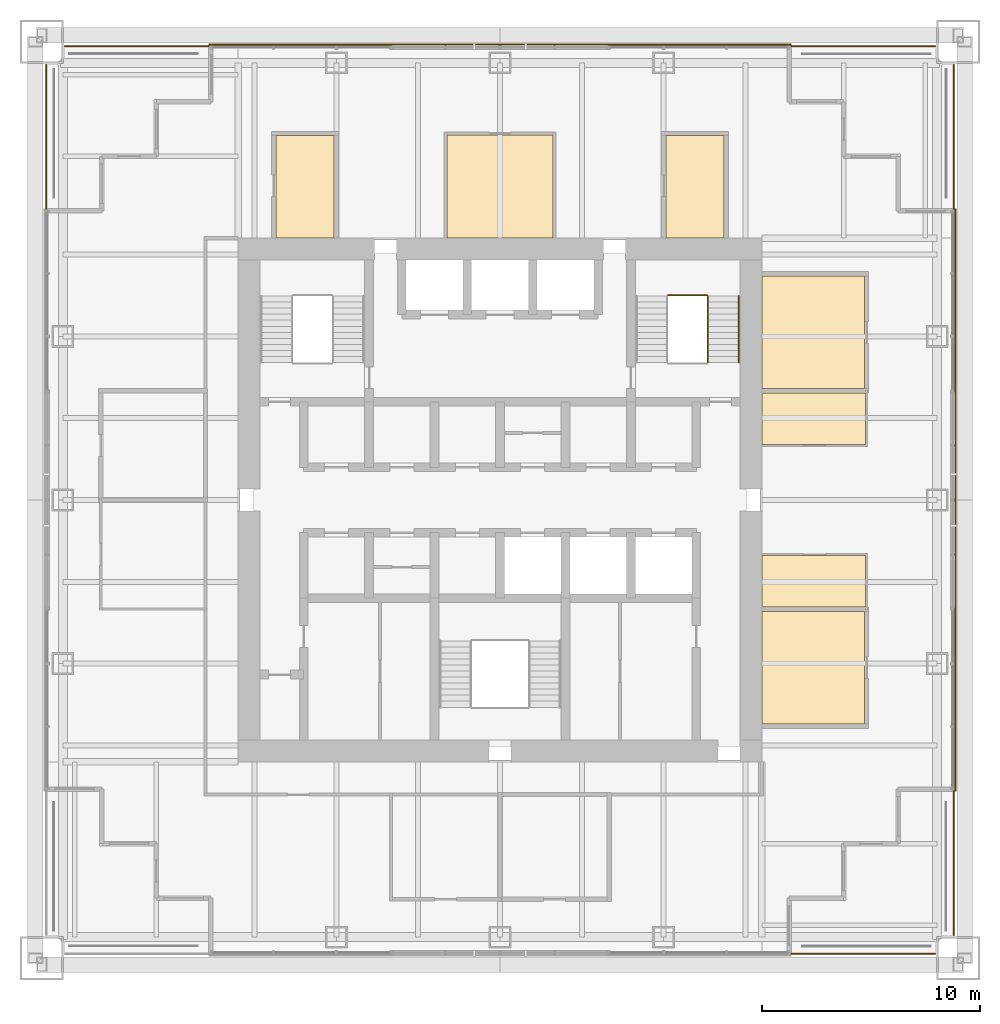
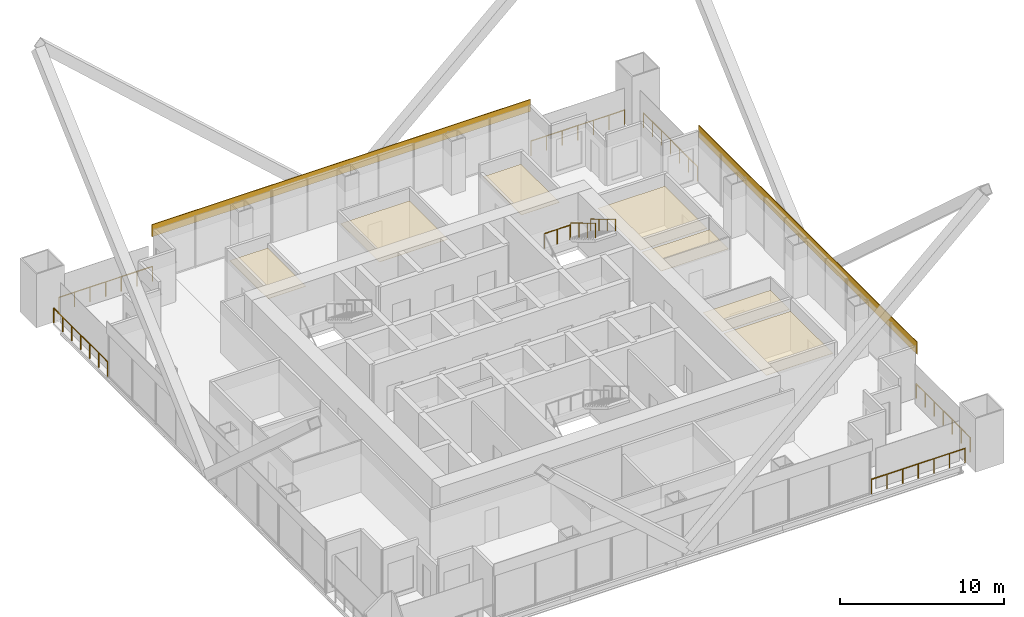
# One storey, part 17 of 17: 9 coverings, 9 railings.
"""IFC4 building model written with IfcOpenShell, lengths in metres."""

from ifc_helpers import new_model, si_unit, direction, frame, origin, origin_2d, place, context, subcontext, project, spatial, polyline, rectangle, circle, outline, extrude, material, layer, layer_set, type_object, element, save


model = new_model("IFC4")

# Units and contexts
model_context = context("Model", 3, precision=1e-05, world=origin(), true_north=direction((0.0, 1.0)))
body_context = subcontext(model_context, "Body", "Model", "MODEL_VIEW")
ifc_project = project(units=[si_unit("LENGTHUNIT", "METRE"), si_unit("AREAUNIT", "SQUARE_METRE"), si_unit("VOLUMEUNIT", "CUBIC_METRE"), si_unit("PLANEANGLEUNIT", "RADIAN"), si_unit("MASSUNIT", "GRAM", prefix="KILO")], contexts=[model_context])

# Site, building, storey
site_placement = place(None, origin())
site = spatial("IfcSite", under=ifc_project, at=site_placement, CompositionType="ELEMENT")
building_placement = place(site_placement, origin())
building = spatial("IfcBuilding", under=site, at=building_placement, Name="Tarangal Relay Tower", CompositionType="ELEMENT")
storey_placement = place(building_placement, frame((0.0, 0.0, 315.89990234375)))
storey = spatial("IfcBuildingStorey", under=building, at=storey_placement, Name="L70", CompositionType="ELEMENT", Elevation=315.89990234375)

# Coverings
ifc_material_1 = material(Name="Black anodised aluminium cladding", Category="aluminium")
ifc_layer_1 = layer(ifc_material_1, 0.050048828125)
ifc_layer_set_1 = layer_set([ifc_layer_1], Name="Black metal spandrel band")
covering_type_1 = type_object("IfcCoveringType", Name="Black metal spandrel band", PredefinedType="CLADDING", material=ifc_layer_set_1)
for number, where, z_axis, x_axis, name in (
    (1, (0.0, 20.875, 3.250244140625), (0.0, 0.0, 1.0), (1.0, 0.0, 0.0), "Spandrel band SB1 N L70"),
    (2, (20.875, 0.0, 3.250244140625), (0.0, 0.0, 1.0), (0.0, -1.0, 0.0), "Spandrel band SB1 E L70"),
):
    element("IfcCovering", number, at=place(storey_placement, frame(where, z_axis=z_axis, x_axis=x_axis)), inside=storey, type_object=covering_type_1, Name=name, PredefinedType="CLADDING", context=body_context, shape_type="SweptSolid", body=[
        extrude(rectangle(XDim=26.699951171875, YDim=0.050048828125, at=origin_2d()), origin(), (0.0, 0.0, 1.0), 0.89990234375),
    ])

# Railings
ifc_material_2 = material(Name="Steel guard, black finish", Category="steel")
railing_type_1 = type_object("IfcRailingType", Name="Stair guard 1100", PredefinedType="GUARDRAIL", material=ifc_material_2)
railing_1_placement = place(storey_placement, frame((9.530029296875, 9.346923828125, 2.166748046875)))
element("IfcRailing", 3, at=railing_1_placement, inside=storey, type_object=railing_type_1, Name="Stair ST-B guard GR1 L70 flight 2", PredefinedType="GUARDRAIL", context=body_context, shape_type="SweptSolid", body=[
    extrude(circle(Radius=0.02392578125, at=origin_2d()), frame((0.0, 0.0, 1.076171875), z_axis=(0.0, -0.85685617095, 0.515555527858), x_axis=(1.0, 0.0, 0.0)), (0.0, 0.0, 1.0), 3.555908203125),
    extrude(circle(Radius=0.02099609375, at=origin_2d()), origin(), (0.0, 0.0, 1.0), 1.052001953125),
    extrude(circle(Radius=0.02099609375, at=origin_2d()), frame((0.0, -1.015625, 0.611083984375)), (0.0, 0.0, 1.0), 1.052001953125),
    extrude(circle(Radius=0.02099609375, at=origin_2d()), frame((0.0, -2.03125, 1.22216796875)), (0.0, 0.0, 1.0), 1.052001953125),
    extrude(circle(Radius=0.02099609375, at=origin_2d()), frame((0.0, -3.046875, 1.833251953125)), (0.0, 0.0, 1.0), 1.052001953125),
])
railing_2_placement = place(storey_placement, frame((7.699951171875, 9.376953125, 2.0)))
element("IfcRailing", 4, at=railing_2_placement, inside=storey, type_object=railing_type_1, Name="Stair ST-B landing guard GR1 L70", PredefinedType="GUARDRAIL", context=body_context, shape_type="SweptSolid", body=[
    extrude(circle(Radius=0.02392578125, at=origin_2d()), frame((0.0, 0.0, 1.076171875), z_axis=(1.0, 0.0, 0.0), x_axis=(0.0, 1.0, 0.0)), (0.0, 0.0, 1.0), 1.800048828125),
    extrude(circle(Radius=0.02099609375, at=origin_2d()), origin(), (0.0, 0.0, 1.0), 1.052001953125),
    extrude(circle(Radius=0.02099609375, at=origin_2d()), frame((0.89990234375, 0.0, 0.0)), (0.0, 0.0, 1.0), 1.052001953125),
    extrude(circle(Radius=0.02099609375, at=origin_2d()), frame((1.800048828125, 0.0, 0.0)), (0.0, 0.0, 1.0), 1.052001953125),
])
ifc_material_3 = material(Name="Steel handrail, black finish", Category="steel")
railing_type_2 = type_object("IfcRailingType", Name="Stair handrail 900", PredefinedType="HANDRAIL", material=ifc_material_3)
railing_3_placement = place(storey_placement, frame((10.93994140625, 9.346923828125, 2.166748046875)))
element("IfcRailing", 5, at=railing_3_placement, inside=storey, type_object=railing_type_2, Name="Stair ST-B handrail HR1 L70 flight 2", PredefinedType="HANDRAIL", context=body_context, shape_type="SweptSolid", body=[
    extrude(circle(Radius=0.02392578125, at=origin_2d()), frame((0.0, 0.0, 0.8759765625), z_axis=(0.0, -0.85685617095, 0.515555527858), x_axis=(1.0, 0.0, 0.0)), (0.0, 0.0, 1.0), 3.555908203125),
    extrude(circle(Radius=0.02099609375, at=origin_2d()), origin(), (0.0, 0.0, 1.0), 0.851806640625),
    extrude(circle(Radius=0.02099609375, at=origin_2d()), frame((0.0, -1.015625, 0.611083984375)), (0.0, 0.0, 1.0), 0.851806640625),
    extrude(circle(Radius=0.02099609375, at=origin_2d()), frame((0.0, -2.03125, 1.22216796875)), (0.0, 0.0, 1.0), 0.851806640625),
    extrude(circle(Radius=0.02099609375, at=origin_2d()), frame((0.0, -3.046875, 1.833251953125)), (0.0, 0.0, 1.0), 0.851806640625),
])

# Coverings
ifc_material_4 = material(Name="Mineral fibre ceiling tiles", Category="gypsum")
ifc_layer_2 = layer(ifc_material_4, 0.02001953125)
ifc_layer_set_2 = layer_set([ifc_layer_2], Name="Suspended ceiling")
covering_type_2 = type_object("IfcCoveringType", Name="Suspended ceiling", PredefinedType="CEILING", material=ifc_layer_set_2)
covering_1_placement = place(storey_placement, frame((0.0, 0.0, 2.900146484375)))
element("IfcCovering", 6, at=covering_1_placement, inside=storey, type_object=covering_type_2, Name="Suspended ceiling CL1 L70-02", PredefinedType="CEILING", context=body_context, shape_type="SweptSolid", body=[
    extrude(outline(polyline([(-7.60009765625, 12.0), (-7.60009765625, 16.699951171875), (-10.27490234375, 16.699951171875), (-10.27490234375, 12.0), (-7.60009765625, 12.0)])), origin(), (0.0, 0.0, 1.0), 0.02001953125),
])
covering_2_placement = place(storey_placement, frame((0.0, 0.0, 2.900146484375)))
element("IfcCovering", 7, at=covering_2_placement, inside=storey, type_object=covering_type_2, Name="Suspended ceiling CL1 L70-03", PredefinedType="CEILING", context=body_context, shape_type="SweptSolid", body=[
    extrude(outline(polyline([(2.425048828125, 12.0), (2.425048828125, 16.72509765625), (-2.425048828125, 16.72509765625), (-2.425048828125, 12.0), (2.425048828125, 12.0)])), origin(), (0.0, 0.0, 1.0), 0.02001953125),
])
covering_3_placement = place(storey_placement, frame((0.0, 0.0, 2.900146484375)))
element("IfcCovering", 8, at=covering_3_placement, inside=storey, type_object=covering_type_2, Name="Suspended ceiling CL1 L70-04", PredefinedType="CEILING", context=body_context, shape_type="SweptSolid", body=[
    extrude(outline(polyline([(10.27490234375, 12.0), (10.27490234375, 16.699951171875), (7.60009765625, 16.699951171875), (7.60009765625, 12.0), (10.27490234375, 12.0)])), origin(), (0.0, 0.0, 1.0), 0.02001953125),
])
covering_4_placement = place(storey_placement, frame((0.0, 0.0, 2.900146484375)))
element("IfcCovering", 9, at=covering_4_placement, inside=storey, type_object=covering_type_2, Name="Suspended ceiling CL1 L70-05", PredefinedType="CEILING", context=body_context, shape_type="SweptSolid", body=[
    extrude(outline(polyline([(12.0, 5.10009765625), (16.699951171875, 5.10009765625), (16.699951171875, 10.27490234375), (12.0, 10.27490234375), (12.0, 5.10009765625)])), origin(), (0.0, 0.0, 1.0), 0.02001953125),
])
covering_5_placement = place(storey_placement, frame((0.0, 0.0, 2.900146484375)))
element("IfcCovering", 10, at=covering_5_placement, inside=storey, type_object=covering_type_2, Name="Suspended ceiling CL1 L70-06", PredefinedType="CEILING", context=body_context, shape_type="SweptSolid", body=[
    extrude(outline(polyline([(12.0, 2.550048828125), (16.75, 2.550048828125), (16.75, 4.89990234375), (12.0, 4.89990234375), (12.0, 2.550048828125)])), origin(), (0.0, 0.0, 1.0), 0.02001953125),
])
covering_6_placement = place(storey_placement, frame((0.0, 0.0, 2.900146484375)))
element("IfcCovering", 11, at=covering_6_placement, inside=storey, type_object=covering_type_2, Name="Suspended ceiling CL1 L70-07", PredefinedType="CEILING", context=body_context, shape_type="SweptSolid", body=[
    extrude(outline(polyline([(12.0, -4.89990234375), (16.75, -4.89990234375), (16.75, -2.550048828125), (12.0, -2.550048828125), (12.0, -4.89990234375)])), origin(), (0.0, 0.0, 1.0), 0.02001953125),
])
covering_7_placement = place(storey_placement, frame((0.0, 0.0, 2.900146484375)))
element("IfcCovering", 12, at=covering_7_placement, inside=storey, type_object=covering_type_2, Name="Suspended ceiling CL1 L70-08", PredefinedType="CEILING", context=body_context, shape_type="SweptSolid", body=[
    extrude(outline(polyline([(12.0, -10.27490234375), (16.699951171875, -10.27490234375), (16.699951171875, -5.10009765625), (12.0, -5.10009765625), (12.0, -10.27490234375)])), origin(), (0.0, 0.0, 1.0), 0.02001953125),
])

# Railings
ifc_material_5 = material(Name="Black steel guard with glass infill", Category="steel")
railing_type_3 = type_object("IfcRailingType", Name="Terrace guard 1100", PredefinedType="GUARDRAIL", material=ifc_material_5)
railing_4_placement = place(storey_placement, frame((13.35009765625, 20.800048828125, 0.0)))
element("IfcRailing", 13, at=railing_4_placement, inside=storey, type_object=railing_type_3, Name="Terrace guard GR2 NE L70", PredefinedType="GUARDRAIL", context=body_context, shape_type="SweptSolid", body=[
    extrude(circle(Radius=0.02392578125, at=origin_2d()), frame((0.0, 0.0, 1.076171875), z_axis=(1.0, 0.0, 0.0), x_axis=(0.0, 1.0, 0.0)), (0.0, 0.0, 1.0), 6.599853515625),
    extrude(circle(Radius=0.02099609375, at=origin_2d()), origin(), (0.0, 0.0, 1.0), 1.052001953125),
    extrude(circle(Radius=0.02099609375, at=origin_2d()), frame((1.10009765625, 0.0, 0.0)), (0.0, 0.0, 1.0), 1.052001953125),
    extrude(circle(Radius=0.02099609375, at=origin_2d()), frame((2.199951171875, 0.0, 0.0)), (0.0, 0.0, 1.0), 1.052001953125),
    extrude(circle(Radius=0.02099609375, at=origin_2d()), frame((3.2998046875, 0.0, 0.0)), (0.0, 0.0, 1.0), 1.052001953125),
    extrude(circle(Radius=0.02099609375, at=origin_2d()), frame((4.39990234375, 0.0, 0.0)), (0.0, 0.0, 1.0), 1.052001953125),
    extrude(circle(Radius=0.02099609375, at=origin_2d()), frame((5.5, 0.0, 0.0)), (0.0, 0.0, 1.0), 1.052001953125),
    extrude(circle(Radius=0.02099609375, at=origin_2d()), frame((6.599853515625, 0.0, 0.0)), (0.0, 0.0, 1.0), 1.052001953125),
])
for number, where, name in (
    (14, (20.800048828125, 19.949951171875, 0.0), "Terrace guard GR2 NE L70"),
    (15, (20.800048828125, -13.35009765625, 0.0), "Terrace guard GR2 SE L70"),
):
    element("IfcRailing", number, at=place(storey_placement, frame(where)), inside=storey, type_object=railing_type_3, Name=name, PredefinedType="GUARDRAIL", context=body_context, shape_type="SweptSolid", body=[
        extrude(circle(Radius=0.02392578125, at=origin_2d()), frame((0.0, 0.0, 1.076171875), z_axis=(0.0, -1.0, 0.0), x_axis=(1.0, 0.0, 0.0)), (0.0, 0.0, 1.0), 6.599853515625),
        extrude(circle(Radius=0.02099609375, at=origin_2d()), origin(), (0.0, 0.0, 1.0), 1.052001953125),
        extrude(circle(Radius=0.02099609375, at=origin_2d()), frame((0.0, -1.10009765625, 0.0)), (0.0, 0.0, 1.0), 1.052001953125),
        extrude(circle(Radius=0.02099609375, at=origin_2d()), frame((0.0, -2.199951171875, 0.0)), (0.0, 0.0, 1.0), 1.052001953125),
        extrude(circle(Radius=0.02099609375, at=origin_2d()), frame((0.0, -3.2998046875, 0.0)), (0.0, 0.0, 1.0), 1.052001953125),
        extrude(circle(Radius=0.02099609375, at=origin_2d()), frame((0.0, -4.39990234375, 0.0)), (0.0, 0.0, 1.0), 1.052001953125),
        extrude(circle(Radius=0.02099609375, at=origin_2d()), frame((0.0, -5.5, 0.0)), (0.0, 0.0, 1.0), 1.052001953125),
        extrude(circle(Radius=0.02099609375, at=origin_2d()), frame((0.0, -6.599853515625, 0.0)), (0.0, 0.0, 1.0), 1.052001953125),
    ])
railing_5_placement = place(storey_placement, frame((19.949951171875, -20.800048828125, 0.0)))
element("IfcRailing", 16, at=railing_5_placement, inside=storey, type_object=railing_type_3, Name="Terrace guard GR2 SE L70", PredefinedType="GUARDRAIL", context=body_context, shape_type="SweptSolid", body=[
    extrude(circle(Radius=0.02392578125, at=origin_2d()), frame((0.0, 0.0, 1.076171875), z_axis=(-1.0, 0.0, 0.0), x_axis=(0.0, -1.0, 0.0)), (0.0, 0.0, 1.0), 6.599853515625),
    extrude(circle(Radius=0.02099609375, at=origin_2d()), origin(), (0.0, 0.0, 1.0), 1.052001953125),
    extrude(circle(Radius=0.02099609375, at=origin_2d()), frame((-1.10009765625, 0.0, 0.0)), (0.0, 0.0, 1.0), 1.052001953125),
    extrude(circle(Radius=0.02099609375, at=origin_2d()), frame((-2.199951171875, 0.0, 0.0)), (0.0, 0.0, 1.0), 1.052001953125),
    extrude(circle(Radius=0.02099609375, at=origin_2d()), frame((-3.2998046875, 0.0, 0.0)), (0.0, 0.0, 1.0), 1.052001953125),
    extrude(circle(Radius=0.02099609375, at=origin_2d()), frame((-4.39990234375, 0.0, 0.0)), (0.0, 0.0, 1.0), 1.052001953125),
    extrude(circle(Radius=0.02099609375, at=origin_2d()), frame((-5.5, 0.0, 0.0)), (0.0, 0.0, 1.0), 1.052001953125),
    extrude(circle(Radius=0.02099609375, at=origin_2d()), frame((-6.599853515625, 0.0, 0.0)), (0.0, 0.0, 1.0), 1.052001953125),
])
railing_6_placement = place(storey_placement, frame((-20.800048828125, 13.35009765625, 0.0)))
element("IfcRailing", 17, at=railing_6_placement, inside=storey, type_object=railing_type_3, Name="Terrace guard GR2 NW L70", PredefinedType="GUARDRAIL", context=body_context, shape_type="SweptSolid", body=[
    extrude(circle(Radius=0.02392578125, at=origin_2d()), frame((0.0, 0.0, 1.076171875), z_axis=(0.0, 1.0, 0.0), x_axis=(-1.0, 0.0, 0.0)), (0.0, 0.0, 1.0), 6.599853515625),
    extrude(circle(Radius=0.02099609375, at=origin_2d()), origin(), (0.0, 0.0, 1.0), 1.052001953125),
    extrude(circle(Radius=0.02099609375, at=origin_2d()), frame((0.0, 1.10009765625, 0.0)), (0.0, 0.0, 1.0), 1.052001953125),
    extrude(circle(Radius=0.02099609375, at=origin_2d()), frame((0.0, 2.199951171875, 0.0)), (0.0, 0.0, 1.0), 1.052001953125),
    extrude(circle(Radius=0.02099609375, at=origin_2d()), frame((0.0, 3.2998046875, 0.0)), (0.0, 0.0, 1.0), 1.052001953125),
    extrude(circle(Radius=0.02099609375, at=origin_2d()), frame((0.0, 4.39990234375, 0.0)), (0.0, 0.0, 1.0), 1.052001953125),
    extrude(circle(Radius=0.02099609375, at=origin_2d()), frame((0.0, 5.5, 0.0)), (0.0, 0.0, 1.0), 1.052001953125),
    extrude(circle(Radius=0.02099609375, at=origin_2d()), frame((0.0, 6.599853515625, 0.0)), (0.0, 0.0, 1.0), 1.052001953125),
])
railing_7_placement = place(storey_placement, frame((-19.949951171875, 20.800048828125, 0.0)))
element("IfcRailing", 18, at=railing_7_placement, inside=storey, type_object=railing_type_3, Name="Terrace guard GR2 NW L70", PredefinedType="GUARDRAIL", context=body_context, shape_type="SweptSolid", body=[
    extrude(circle(Radius=0.02392578125, at=origin_2d()), frame((0.0, 0.0, 1.076171875), z_axis=(1.0, 0.0, 0.0), x_axis=(0.0, 1.0, 0.0)), (0.0, 0.0, 1.0), 6.599853515625),
    extrude(circle(Radius=0.02099609375, at=origin_2d()), origin(), (0.0, 0.0, 1.0), 1.052001953125),
    extrude(circle(Radius=0.02099609375, at=origin_2d()), frame((1.10009765625, 0.0, 0.0)), (0.0, 0.0, 1.0), 1.052001953125),
    extrude(circle(Radius=0.02099609375, at=origin_2d()), frame((2.199951171875, 0.0, 0.0)), (0.0, 0.0, 1.0), 1.052001953125),
    extrude(circle(Radius=0.02099609375, at=origin_2d()), frame((3.2998046875, 0.0, 0.0)), (0.0, 0.0, 1.0), 1.052001953125),
    extrude(circle(Radius=0.02099609375, at=origin_2d()), frame((4.39990234375, 0.0, 0.0)), (0.0, 0.0, 1.0), 1.052001953125),
    extrude(circle(Radius=0.02099609375, at=origin_2d()), frame((5.5, 0.0, 0.0)), (0.0, 0.0, 1.0), 1.052001953125),
    extrude(circle(Radius=0.02099609375, at=origin_2d()), frame((6.599853515625, 0.0, 0.0)), (0.0, 0.0, 1.0), 1.052001953125),
])

save(model, "model.ifc")
